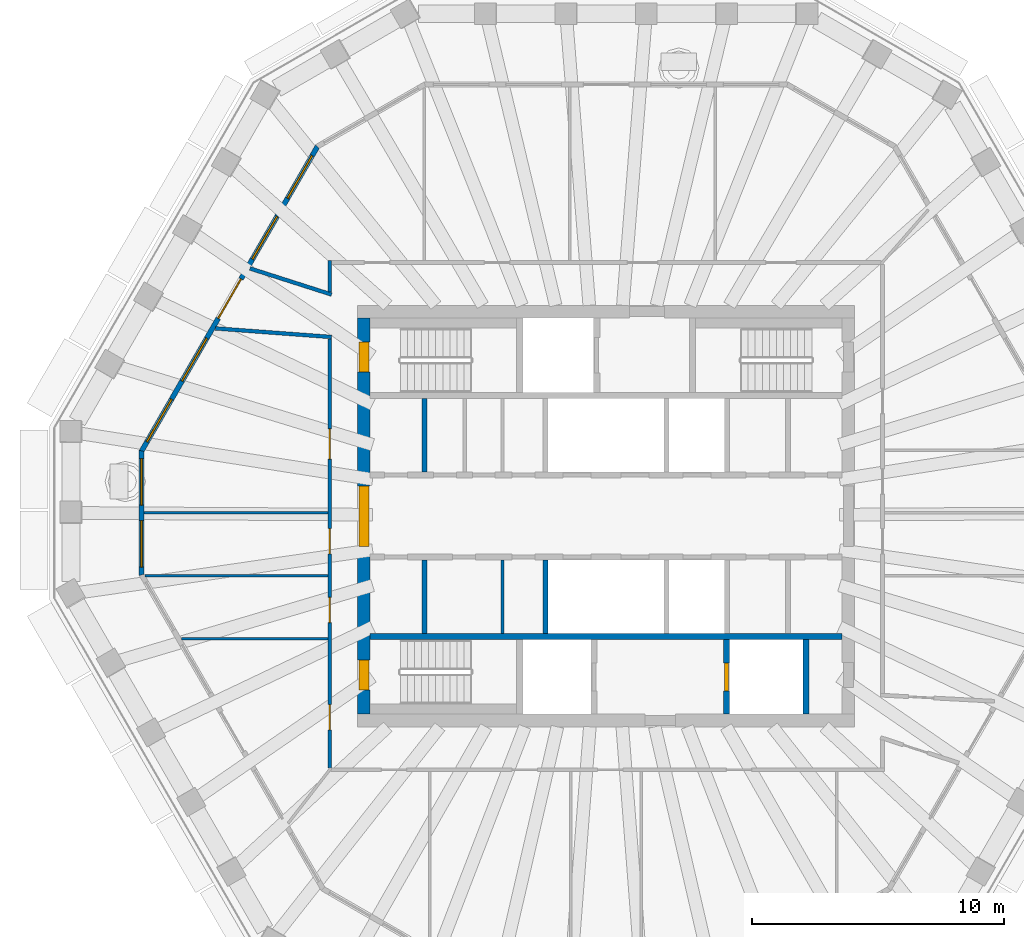
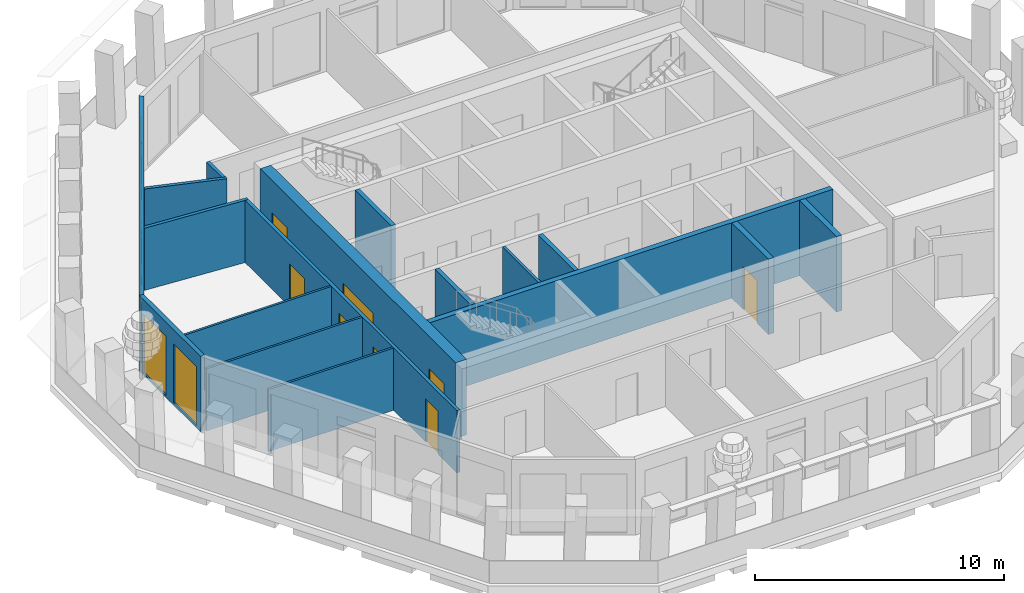
# One storey, part 4 of 11: 17 walls, 9 doors, 7 windows, 16 openings.
"""IFC4 building model written with IfcOpenShell, lengths in metres."""

from ifc_helpers import new_model, si_unit, direction, frame, frame_2d, origin, place, context, subcontext, project, spatial, polyline, rectangle, outline, extrude, material, layer, layer_set, type_object, element, fill, save


model = new_model("IFC4")

# Units and contexts
model_context = context("Model", 3, precision=1e-05, world=origin(), true_north=direction((0.0, 1.0)))
body_context = subcontext(model_context, "Body", "Model", "MODEL_VIEW")
ifc_project = project(units=[si_unit("LENGTHUNIT", "METRE"), si_unit("AREAUNIT", "SQUARE_METRE"), si_unit("VOLUMEUNIT", "CUBIC_METRE"), si_unit("PLANEANGLEUNIT", "RADIAN"), si_unit("MASSUNIT", "GRAM", prefix="KILO")], contexts=[model_context])

# Site, building, storey
site_placement = place(None, origin())
site = spatial("IfcSite", under=ifc_project, at=site_placement, CompositionType="ELEMENT")
building_placement = place(site_placement, origin())
building = spatial("IfcBuilding", under=site, at=building_placement, Name="Frailejon Research Tower", CompositionType="ELEMENT")
storey_placement = place(building_placement, frame((0.0, 0.0, 312.60009765625)))
storey = spatial("IfcBuildingStorey", under=building, at=storey_placement, Name="L69", CompositionType="ELEMENT", Elevation=312.60009765625)

# Wall
ifc_material_1 = material(Name="Plasterboard on steel studs", Category="steel")
ifc_layer_1 = layer(ifc_material_1, 0.125)
ifc_layer_set_1 = layer_set([ifc_layer_1], Name="Core partition 125")
wall_type_1 = type_object("IfcWallType", Name="Core partition 125", PredefinedType="PARTITIONING", material=ifc_layer_set_1)
wall_1_placement = place(storey_placement, frame((-4.10009765625, -4.64990234375, 0.0), z_axis=(0.0, 0.0, 1.0), x_axis=(0.0, 1.0, 0.0)))
element("IfcWall", 1, at=wall_1_placement, inside=storey, type_object=wall_type_1, Name="Core partition", PredefinedType="PARTITIONING", context=body_context, shape_type="SweptSolid", body=[
    extrude(rectangle(XDim=2.89990234375, YDim=0.125, at=frame_2d((1.449951171875, 0.0))), origin(), (0.0, 0.0, 1.0), 3.699951171875),
])

# Wall, openings, doors
ifc_material_2 = material(Name="Concrete C50/60", Category="concrete")
ifc_layer_2 = layer(ifc_material_2, 0.5)
ifc_layer_set_2 = layer_set([ifc_layer_2], Name="Core shear wall 500 C50/60")
wall_type_2 = type_object("IfcWallType", Name="Core shear wall 500 C50/60", PredefinedType="SHEAR", material=ifc_layer_set_2)
wall_2_placement = place(storey_placement, frame((-9.60009765625, -7.85009765625, 0.0), z_axis=(0.0, 0.0, 1.0), x_axis=(0.0, 1.0, 0.0)))
wall_2 = element("IfcWall", 2, at=wall_2_placement, inside=storey, type_object=wall_type_2, Name="Core shear wall", PredefinedType="SHEAR", context=body_context, shape_type="SweptSolid", body=[
    extrude(rectangle(XDim=15.7001953125, YDim=0.5, at=frame_2d((7.85009765625, 0.0))), origin(), (0.0, 0.0, 1.0), 3.699951171875),
])
opening_1_placement = place(wall_2_placement, frame((6.64990234375, 0.0, 0.0)))
opening_1 = element("IfcOpeningElement", 3, at=opening_1_placement, cuts=wall_2, Name="Opening D2", PredefinedType="OPENING", context=body_context, shape_type="SweptSolid", body=[
    extrude(rectangle(XDim=2.39990234375, YDim=2.10009765625, at=frame_2d((1.199951171875, 1.050048828125))), frame((0.0, 0.260009765625, 0.0), z_axis=(0.0, -1.0, 0.0), x_axis=(1.0, 0.0, 0.0)), (0.0, 0.0, 1.0), 0.52001953125),
])
opening_2_placement = place(wall_2_placement, frame((13.550048828125, 0.0, 0.0)))
opening_2 = element("IfcOpeningElement", 4, at=opening_2_placement, cuts=wall_2, Name="Opening D1", PredefinedType="OPENING", context=body_context, shape_type="SweptSolid", body=[
    extrude(rectangle(XDim=1.199951171875, YDim=2.10009765625, at=frame_2d((0.60009765625, 1.050048828125))), frame((0.0, 0.260009765625, 0.0), z_axis=(0.0, -1.0, 0.0), x_axis=(1.0, 0.0, 0.0)), (0.0, 0.0, 1.0), 0.52001953125),
])
opening_3_placement = place(wall_2_placement, frame((0.949951171875, 0.0, 0.0)))
opening_3 = element("IfcOpeningElement", 5, at=opening_3_placement, cuts=wall_2, Name="Opening D1", PredefinedType="OPENING", context=body_context, shape_type="SweptSolid", body=[
    extrude(rectangle(XDim=1.199951171875, YDim=2.10009765625, at=frame_2d((0.60009765625, 1.050048828125))), frame((0.0, 0.260009765625, 0.0), z_axis=(0.0, -1.0, 0.0), x_axis=(1.0, 0.0, 0.0)), (0.0, 0.0, 1.0), 0.52001953125),
])
ifc_material_3 = material(Name="Steel", Category="steel")
door_type_1 = type_object("IfcDoorType", Name="Lobby double door", OperationType="DOUBLE_DOOR_SINGLE_SWING", PredefinedType="DOOR", material=ifc_material_3)
door_1_placement = place(opening_1_placement, origin())
door_1 = element("IfcDoor", 6, at=door_1_placement, inside=storey, type_object=door_type_1, Name="Lobby door", OperationType="DOUBLE_DOOR_SINGLE_SWING", OverallHeight=2.10009765625, OverallWidth=2.39990234375, PredefinedType="DOOR", context=body_context, shape_type="SweptSolid", body=[
    extrude(rectangle(XDim=2.39990234375, YDim=2.10009765625, at=frame_2d((1.199951171875, 1.050048828125))), frame((0.0, 0.199951171875, 0.0), z_axis=(0.0, -1.0, 0.0), x_axis=(1.0, 0.0, 0.0)), (0.0, 0.0, 1.0), 0.39990234375),
])
fill(opening_1, door_1)
ifc_material_4 = material(Name="Steel", Category="steel")
door_type_2 = type_object("IfcDoorType", Name="Stair door", OperationType="SINGLE_SWING_LEFT", PredefinedType="DOOR", material=ifc_material_4)
door_2_placement = place(opening_2_placement, origin())
door_2 = element("IfcDoor", 7, at=door_2_placement, inside=storey, type_object=door_type_2, Name="Stair door ST1", OperationType="SINGLE_SWING_RIGHT", OverallHeight=2.10009765625, OverallWidth=1.199951171875, PredefinedType="DOOR", context=body_context, shape_type="SweptSolid", body=[
    extrude(rectangle(XDim=1.199951171875, YDim=2.10009765625, at=frame_2d((0.60009765625, 1.050048828125))), frame((0.0, 0.199951171875, 0.0), z_axis=(0.0, -1.0, 0.0), x_axis=(1.0, 0.0, 0.0)), (0.0, 0.0, 1.0), 0.39990234375),
])
fill(opening_2, door_2)
door_3_placement = place(opening_3_placement, origin())
door_3 = element("IfcDoor", 8, at=door_3_placement, inside=storey, type_object=door_type_2, Name="Stair door ST2", OperationType="SINGLE_SWING_LEFT", OverallHeight=2.10009765625, OverallWidth=1.199951171875, PredefinedType="DOOR", context=body_context, shape_type="SweptSolid", body=[
    extrude(rectangle(XDim=1.199951171875, YDim=2.10009765625, at=frame_2d((0.60009765625, 1.050048828125))), frame((0.0, 0.199951171875, 0.0), z_axis=(0.0, -1.0, 0.0), x_axis=(1.0, 0.0, 0.0)), (0.0, 0.0, 1.0), 0.39990234375),
])
fill(opening_3, door_3)

ifc_material_5 = material(Name="Gypsum board and masonry partition", Category="masonry")
ifc_layer_3 = layer(ifc_material_5, 0.14990234375)
ifc_layer_set_3 = layer_set([ifc_layer_3], Name="Corridor wall EI 60, gypsum on steel studs 150")
wall_type_3 = type_object("IfcWallType", Name="Corridor wall EI 60, gypsum on steel studs 150", PredefinedType="PARTITIONING", material=ifc_layer_set_3)
wall_3_placement = place(storey_placement, frame((-10.949951171875, -9.97509765625, 0.0), z_axis=(0.0, 0.0, 1.0), x_axis=(0.0, 1.0, 0.0)))
wall_3 = element("IfcWall", 9, at=wall_3_placement, inside=storey, type_object=wall_type_3, Name="T:IW:L69:004", PredefinedType="PARTITIONING", context=body_context, shape_type="SweptSolid", body=[
    extrude(rectangle(XDim=17.0, YDim=0.14990234375, at=frame_2d((8.5, 0.0))), origin(), (0.0, 0.0, 1.0), 3.0498046875),
])
opening_4_placement = place(wall_3_placement, frame((12.226806640625, 0.0, 0.0)))
opening_4 = element("IfcOpeningElement", 10, at=opening_4_placement, cuts=wall_3, Name="Opening D2304", PredefinedType="OPENING", context=body_context, shape_type="SweptSolid", body=[
    extrude(rectangle(XDim=1.199951171875, YDim=2.10009765625, at=frame_2d((0.60009765625, 1.050048828125))), frame((0.0, 0.0849609375, 0.0), z_axis=(0.0, -1.0, 0.0), x_axis=(1.0, 0.0, 0.0)), (0.0, 0.0, 1.0), 0.169921875),
])
opening_5_placement = place(wall_3_placement, frame((8.476806640625, 0.0, 0.0)))
opening_5 = element("IfcOpeningElement", 11, at=opening_5_placement, cuts=wall_3, Name="Opening D2305", PredefinedType="OPENING", context=body_context, shape_type="SweptSolid", body=[
    extrude(rectangle(XDim=1.0, YDim=2.10009765625, at=frame_2d((0.5, 1.050048828125))), frame((0.0, 0.0849609375, 0.0), z_axis=(0.0, -1.0, 0.0), x_axis=(1.0, 0.0, 0.0)), (0.0, 0.0, 1.0), 0.169921875),
])
opening_6_placement = place(wall_3_placement, frame((5.75, 0.0, 0.0)))
opening_6 = element("IfcOpeningElement", 12, at=opening_6_placement, cuts=wall_3, Name="Opening D2306", PredefinedType="OPENING", context=body_context, shape_type="SweptSolid", body=[
    extrude(rectangle(XDim=1.0, YDim=2.10009765625, at=frame_2d((0.5, 1.050048828125))), frame((0.0, 0.0849609375, 0.0), z_axis=(0.0, -1.0, 0.0), x_axis=(1.0, 0.0, 0.0)), (0.0, 0.0, 1.0), 0.169921875),
])
opening_7_placement = place(wall_3_placement, frame((1.49853515625, 0.0, 0.0)))
opening_7 = element("IfcOpeningElement", 13, at=opening_7_placement, cuts=wall_3, Name="Opening D2307", PredefinedType="OPENING", context=body_context, shape_type="SweptSolid", body=[
    extrude(rectangle(XDim=1.0, YDim=2.10009765625, at=frame_2d((0.5, 1.050048828125))), frame((0.0, 0.0849609375, 0.0), z_axis=(0.0, -1.0, 0.0), x_axis=(1.0, 0.0, 0.0)), (0.0, 0.0, 1.0), 0.169921875),
])
ifc_material_6 = material(Name="Timber door leaf", Category="wood")
door_type_3 = type_object("IfcDoorType", Name="Door single leaf, timber, steel frame 1000", OperationType="NOTDEFINED", PredefinedType="DOOR", material=ifc_material_6)
door_4_placement = place(opening_5_placement, origin())
door_4 = element("IfcDoor", 14, at=door_4_placement, inside=storey, type_object=door_type_3, Name="D2305", OperationType="SINGLE_SWING_RIGHT", OverallHeight=2.10009765625, OverallWidth=1.0, PredefinedType="DOOR", context=body_context, shape_type="SweptSolid", body=[
    extrude(rectangle(XDim=1.0, YDim=2.10009765625, at=frame_2d((0.5, 1.050048828125))), frame((0.0, 0.02490234375, 0.0), z_axis=(0.0, -1.0, 0.0), x_axis=(1.0, 0.0, 0.0)), (0.0, 0.0, 1.0), 0.050048828125),
])
fill(opening_5, door_4)
door_5_placement = place(opening_6_placement, origin())
door_5 = element("IfcDoor", 15, at=door_5_placement, inside=storey, type_object=door_type_3, Name="D2306", OperationType="SINGLE_SWING_RIGHT", OverallHeight=2.10009765625, OverallWidth=1.0, PredefinedType="DOOR", context=body_context, shape_type="SweptSolid", body=[
    extrude(rectangle(XDim=1.0, YDim=2.10009765625, at=frame_2d((0.5, 1.050048828125))), frame((0.0, 0.02490234375, 0.0), z_axis=(0.0, -1.0, 0.0), x_axis=(1.0, 0.0, 0.0)), (0.0, 0.0, 1.0), 0.050048828125),
])
fill(opening_6, door_5)
door_6_placement = place(opening_7_placement, origin())
door_6 = element("IfcDoor", 16, at=door_6_placement, inside=storey, type_object=door_type_3, Name="D2307", OperationType="SINGLE_SWING_RIGHT", OverallHeight=2.10009765625, OverallWidth=1.0, PredefinedType="DOOR", context=body_context, shape_type="SweptSolid", body=[
    extrude(rectangle(XDim=1.0, YDim=2.10009765625, at=frame_2d((0.5, 1.050048828125))), frame((0.0, 0.02490234375, 0.0), z_axis=(0.0, -1.0, 0.0), x_axis=(1.0, 0.0, 0.0)), (0.0, 0.0, 1.0), 0.050048828125),
])
fill(opening_7, door_6)
ifc_material_7 = material(Name="Timber door leaf", Category="wood")
door_type_4 = type_object("IfcDoorType", Name="Door single leaf, timber, steel frame 1200", OperationType="NOTDEFINED", PredefinedType="DOOR", material=ifc_material_7)
door_7_placement = place(opening_4_placement, origin())
door_7 = element("IfcDoor", 17, at=door_7_placement, inside=storey, type_object=door_type_4, Name="D2304", OperationType="DOUBLE_DOOR_SINGLE_SWING", OverallHeight=2.10009765625, OverallWidth=1.199951171875, PredefinedType="DOOR", context=body_context, shape_type="SweptSolid", body=[
    extrude(rectangle(XDim=1.199951171875, YDim=2.10009765625, at=frame_2d((0.60009765625, 1.050048828125))), frame((0.0, 0.02490234375, 0.0), z_axis=(0.0, -1.0, 0.0), x_axis=(1.0, 0.0, 0.0)), (0.0, 0.0, 1.0), 0.050048828125),
])
fill(opening_4, door_7)

# Walls
wall_4_placement = place(storey_placement, frame((-10.949951171875, 8.875, 0.0), z_axis=(0.0, 0.0, 1.0), x_axis=(0.0, 1.0, 0.0)))
element("IfcWall", 18, at=wall_4_placement, inside=storey, type_object=wall_type_3, Name="T:IW:L69:005", PredefinedType="PARTITIONING", context=body_context, shape_type="SweptSolid", body=[
    extrude(rectangle(XDim=1.25, YDim=0.14990234375, at=frame_2d((0.625, 0.0))), origin(), (0.0, 0.0, 1.0), 3.0498046875),
])
wall_5_placement = place(storey_placement, frame((-14.110595703125, 9.811279296875, 0.0), z_axis=(0.0, 0.0, 1.0), x_axis=(0.952427488633, -0.304765284926, 0.0)))
element("IfcWall", 19, at=wall_5_placement, inside=storey, type_object=wall_type_3, Name="T:IW:L69:007", PredefinedType="PARTITIONING", context=body_context, shape_type="SweptSolid", body=[
    extrude(rectangle(XDim=3.393310546875, YDim=0.14990234375, at=frame_2d((1.69677734375, 0.0))), origin(), (0.0, 0.0, 1.0), 3.0498046875),
])
wall_6_placement = place(storey_placement, frame((-15.482177734375, 7.435546875, 0.0), z_axis=(0.0, 0.0, 1.0), x_axis=(0.997270781832, -0.073830804569, 0.0)))
element("IfcWall", 20, at=wall_6_placement, inside=storey, type_object=wall_type_3, Name="T:IW:L69:008", PredefinedType="PARTITIONING", context=body_context, shape_type="SweptSolid", body=[
    extrude(rectangle(XDim=4.61962890625, YDim=0.14990234375, at=frame_2d((2.309814453125, 0.0))), origin(), (0.0, 0.0, 1.0), 3.0498046875),
])
ifc_material_8 = material(Name="Gypsum board and masonry partition", Category="masonry")
ifc_layer_4 = layer(ifc_material_8, 0.10009765625)
ifc_layer_set_4 = layer_set([ifc_layer_4], Name="Partition, gypsum on steel studs 100")
wall_type_4 = type_object("IfcWallType", Name="Partition, gypsum on steel studs 100", PredefinedType="PARTITIONING", material=ifc_layer_set_4)
wall_7_placement = place(storey_placement, frame((-18.300048828125, 0.125732421875, 0.0), z_axis=(0.0, 0.0, 1.0), x_axis=(1.0, 0.0, 0.0)))
element("IfcWall", 21, at=wall_7_placement, inside=storey, type_object=wall_type_4, Name="T:IW:L69:012", PredefinedType="PARTITIONING", context=body_context, shape_type="SweptSolid", body=[
    extrude(rectangle(XDim=7.275146484375, YDim=0.10009765625, at=frame_2d((3.6376953125, 0.0))), origin(), (0.0, 0.0, 1.0), 3.0498046875),
])
wall_8_placement = place(storey_placement, frame((-18.269287109375, -2.35693359375, 0.0), z_axis=(0.0, 0.0, 1.0), x_axis=(1.0, 0.0, 0.0)))
element("IfcWall", 22, at=wall_8_placement, inside=storey, type_object=wall_type_4, Name="T:IW:L69:018", PredefinedType="PARTITIONING", context=body_context, shape_type="SweptSolid", body=[
    extrude(rectangle(XDim=7.244384765625, YDim=0.10009765625, at=frame_2d((3.6220703125, 0.0))), origin(), (0.0, 0.0, 1.0), 3.0498046875),
])
wall_9_placement = place(storey_placement, frame((-16.827392578125, -4.85400390625, 0.0), z_axis=(0.0, 0.0, 1.0), x_axis=(1.0, 0.0, 0.0)))
element("IfcWall", 23, at=wall_9_placement, inside=storey, type_object=wall_type_4, Name="T:IW:L69:020", PredefinedType="PARTITIONING", context=body_context, shape_type="SweptSolid", body=[
    extrude(rectangle(XDim=5.802490234375, YDim=0.10009765625, at=frame_2d((2.9013671875, 0.0))), origin(), (0.0, 0.0, 1.0), 3.0498046875),
])
ifc_material_9 = material(Name="Concrete C50/60", Category="concrete")
ifc_layer_5 = layer(ifc_material_9, 0.199951171875)
ifc_layer_set_5 = layer_set([ifc_layer_5], Name="Shaft wall 200 C50/60")
wall_type_5 = type_object("IfcWallType", Name="Shaft wall 200 C50/60", PredefinedType="SOLIDWALL", material=ifc_layer_set_5)
for number, where, z_axis, x_axis, name in (
    (24, (-7.199951171875, 1.75, 0.0), (0.0, 0.0, 1.0), (0.0, 1.0, 0.0), "Shaft wall"),
    (25, (-7.199951171875, -4.64990234375, 0.0), (0.0, 0.0, 1.0), (0.0, 1.0, 0.0), "Shaft wall"),
    (26, (-2.39990234375, -4.64990234375, 0.0), (0.0, 0.0, 1.0), (0.0, 1.0, 0.0), "Shaft wall"),
):
    element("IfcWall", number, at=place(storey_placement, frame(where, z_axis=z_axis, x_axis=x_axis)), inside=storey, type_object=wall_type_5, Name=name, PredefinedType="SOLIDWALL", context=body_context, shape_type="SweptSolid", body=[
        extrude(rectangle(XDim=2.89990234375, YDim=0.199951171875, at=frame_2d((1.449951171875, 0.0))), origin(), (0.0, 0.0, 1.0), 3.699951171875),
    ])
ifc_material_10 = material(Name="Concrete C50/60", Category="concrete")
ifc_layer_6 = layer(ifc_material_10, 0.25)
ifc_layer_set_6 = layer_set([ifc_layer_6], Name="Shaft wall 250 C50/60")
wall_type_6 = type_object("IfcWallType", Name="Shaft wall 250 C50/60", PredefinedType="SOLIDWALL", material=ifc_layer_set_6)
wall_10_placement = place(storey_placement, frame((-9.35009765625, -4.77490234375, 0.0), z_axis=(0.0, 0.0, 1.0), x_axis=(1.0, 0.0, 0.0)))
element("IfcWall", 27, at=wall_10_placement, inside=storey, type_object=wall_type_6, Name="Shaft wall", PredefinedType="SOLIDWALL", context=body_context, shape_type="SweptSolid", body=[
    extrude(rectangle(XDim=18.7001953125, YDim=0.25, at=frame_2d((9.35009765625, 0.0))), origin(), (0.0, 0.0, 1.0), 3.699951171875),
])

# Wall, opening, door
wall_11_placement = place(storey_placement, frame((4.77490234375, -7.85009765625, 0.0), z_axis=(0.0, 0.0, 1.0), x_axis=(0.0, 1.0, 0.0)))
wall_11 = element("IfcWall", 28, at=wall_11_placement, inside=storey, type_object=wall_type_6, Name="Shaft wall", PredefinedType="SOLIDWALL", context=body_context, shape_type="SweptSolid", body=[
    extrude(rectangle(XDim=2.9501953125, YDim=0.25, at=frame_2d((1.47509765625, 0.0))), origin(), (0.0, 0.0, 1.0), 3.699951171875),
])
opening_8_placement = place(wall_11_placement, frame((0.925048828125, 0.0, 0.0)))
opening_8 = element("IfcOpeningElement", 29, at=opening_8_placement, cuts=wall_11, Name="Opening LD", PredefinedType="OPENING", context=body_context, shape_type="SweptSolid", body=[
    extrude(rectangle(XDim=1.10009765625, YDim=2.10009765625, at=frame_2d((0.550048828125, 1.050048828125))), frame((0.0, 0.135009765625, 0.0), z_axis=(0.0, -1.0, 0.0), x_axis=(1.0, 0.0, 0.0)), (0.0, 0.0, 1.0), 0.27001953125),
])
ifc_material_11 = material(Name="Steel", Category="steel")
door_type_5 = type_object("IfcDoorType", Name="Lift landing door", OperationType="DOUBLE_DOOR_SLIDING", PredefinedType="DOOR", material=ifc_material_11)
door_8_placement = place(opening_8_placement, origin())
door_8 = element("IfcDoor", 30, at=door_8_placement, inside=storey, type_object=door_type_5, Name="Lift landing door", OperationType="DOUBLE_DOOR_SLIDING", OverallHeight=2.10009765625, OverallWidth=1.10009765625, PredefinedType="DOOR", context=body_context, shape_type="SweptSolid", body=[
    extrude(rectangle(XDim=1.10009765625, YDim=2.10009765625, at=frame_2d((0.550048828125, 1.050048828125))), frame((0.0, 0.074951171875, 0.0), z_axis=(0.0, -1.0, 0.0), x_axis=(1.0, 0.0, 0.0)), (0.0, 0.0, 1.0), 0.14990234375),
])
fill(opening_8, door_8)

# Wall
wall_12_placement = place(storey_placement, frame((7.925048828125, -7.85009765625, 0.0), z_axis=(0.0, 0.0, 1.0), x_axis=(0.0, 1.0, 0.0)))
element("IfcWall", 31, at=wall_12_placement, inside=storey, type_object=wall_type_6, Name="Shaft wall", PredefinedType="SOLIDWALL", context=body_context, shape_type="SweptSolid", body=[
    extrude(rectangle(XDim=2.9501953125, YDim=0.25, at=frame_2d((1.47509765625, 0.0))), origin(), (0.0, 0.0, 1.0), 3.699951171875),
])

# Wall, openings, door, windows
ifc_material_12 = material(Name="Concrete C40/50 precast window wall panel", Category="concrete")
ifc_layer_7 = layer(ifc_material_12, 0.199951171875)
ifc_layer_set_7 = layer_set([ifc_layer_7], Name="Window wall 200")
wall_type_7 = type_object("IfcWallType", Name="Window wall 200", PredefinedType="SOLIDWALL", material=ifc_layer_set_7)
wall_13_placement = place(storey_placement, frame((-11.435791015625, 14.644287109375, 0.0), z_axis=(0.0, 0.0, 1.0), x_axis=(-0.49999606348, -0.866027676523, 0.0)))
wall_13 = element("IfcWall", 32, at=wall_13_placement, inside=storey, type_object=wall_type_7, Name="Exterior wall L69", PredefinedType="SOLIDWALL", context=body_context, shape_type="SweptSolid", body=[
    extrude(outline(polyline([(-0.02685546875, -0.10009765625), (1.048828125, -0.10009765625), (2.124267578125, -0.10009765625), (3.199951171875, -0.10009765625), (4.275390625, -0.10009765625), (5.35107421875, -0.10009765625), (6.426513671875, -0.10009765625), (7.502197265625, -0.10009765625), (8.57763671875, -0.10009765625), (9.6533203125, -0.10009765625), (10.728759765625, -0.10009765625), (11.804443359375, -0.10009765625), (12.8798828125, -0.10009765625), (13.95556640625, -0.10009765625), (13.90185546875, 0.10009765625), (12.83447265625, 0.10009765625), (11.767333984375, 0.10009765625), (10.699951171875, 0.10009765625), (9.632568359375, 0.10009765625), (8.5654296875, 0.10009765625), (7.498046875, 0.10009765625), (6.4306640625, 0.10009765625), (5.36328125, 0.10009765625), (4.296142578125, 0.10009765625), (3.228759765625, 0.10009765625), (2.161376953125, 0.10009765625), (1.09423828125, 0.10009765625), (0.02685546875, 0.10009765625), (-0.02685546875, -0.10009765625)])), origin(), (0.0, 0.0, 1.0), 3.699951171875),
])
opening_9_placement = place(wall_13_placement, frame((0.41796875, 0.0, 0.10009765625)))
opening_9 = element("IfcOpeningElement", 33, at=opening_9_placement, cuts=wall_13, Name="Opening W27", PredefinedType="OPENING", context=body_context, shape_type="SweptSolid", body=[
    extrude(rectangle(XDim=1.949951171875, YDim=2.89990234375, at=frame_2d((0.97509765625, 1.449951171875))), frame((0.0, 0.10986328125, 0.0), z_axis=(0.0, -1.0, 0.0), x_axis=(1.0, 0.0, 0.0)), (0.0, 0.0, 1.0), 0.219970703125),
])
opening_10_placement = place(wall_13_placement, frame((3.20361328125, 0.0, 0.10009765625)))
opening_10 = element("IfcOpeningElement", 34, at=opening_10_placement, cuts=wall_13, Name="Opening W27", PredefinedType="OPENING", context=body_context, shape_type="SweptSolid", body=[
    extrude(rectangle(XDim=1.949951171875, YDim=2.89990234375, at=frame_2d((0.97509765625, 1.449951171875))), frame((0.0, 0.10986328125, 0.0), z_axis=(0.0, -1.0, 0.0), x_axis=(1.0, 0.0, 0.0)), (0.0, 0.0, 1.0), 0.219970703125),
])
opening_11_placement = place(wall_13_placement, frame((6.064453125, 0.0, 0.0)))
opening_11 = element("IfcOpeningElement", 35, at=opening_11_placement, cuts=wall_13, Name="Opening LG69-3", PredefinedType="OPENING", context=body_context, shape_type="SweptSolid", body=[
    extrude(rectangle(XDim=1.800048828125, YDim=2.39990234375, at=frame_2d((0.89990234375, 1.199951171875))), frame((0.0, 0.10986328125, 0.0), z_axis=(0.0, -1.0, 0.0), x_axis=(1.0, 0.0, 0.0)), (0.0, 0.0, 1.0), 0.219970703125),
])
opening_12_placement = place(wall_13_placement, frame((6.064453125, 0.0, 2.550048828125)))
opening_12 = element("IfcOpeningElement", 36, at=opening_12_placement, cuts=wall_13, Name="Opening W1", PredefinedType="OPENING", context=body_context, shape_type="SweptSolid", body=[
    extrude(rectangle(XDim=1.800048828125, YDim=0.449951171875, at=frame_2d((0.89990234375, 0.22509765625))), frame((0.0, 0.10986328125, 0.0), z_axis=(0.0, -1.0, 0.0), x_axis=(1.0, 0.0, 0.0)), (0.0, 0.0, 1.0), 0.219970703125),
])
opening_13_placement = place(wall_13_placement, frame((8.775146484375, 0.0, 0.10009765625)))
opening_13 = element("IfcOpeningElement", 37, at=opening_13_placement, cuts=wall_13, Name="Opening W27", PredefinedType="OPENING", context=body_context, shape_type="SweptSolid", body=[
    extrude(rectangle(XDim=1.949951171875, YDim=2.89990234375, at=frame_2d((0.97509765625, 1.449951171875))), frame((0.0, 0.10986328125, 0.0), z_axis=(0.0, -1.0, 0.0), x_axis=(1.0, 0.0, 0.0)), (0.0, 0.0, 1.0), 0.219970703125),
])
opening_14_placement = place(wall_13_placement, frame((11.560791015625, 0.0, 0.10009765625)))
opening_14 = element("IfcOpeningElement", 38, at=opening_14_placement, cuts=wall_13, Name="Opening W27", PredefinedType="OPENING", context=body_context, shape_type="SweptSolid", body=[
    extrude(rectangle(XDim=1.949951171875, YDim=2.89990234375, at=frame_2d((0.97509765625, 1.449951171875))), frame((0.0, 0.10986328125, 0.0), z_axis=(0.0, -1.0, 0.0), x_axis=(1.0, 0.0, 0.0)), (0.0, 0.0, 1.0), 0.219970703125),
])
ifc_material_13 = material(Name="Aluminium framed glazed door leaf", Category="aluminium")
door_type_6 = type_object("IfcDoorType", Name="Loggia door 1800x2400", OperationType="DOUBLE_DOOR_SINGLE_SWING", PredefinedType="DOOR", material=ifc_material_13)
door_9_placement = place(opening_11_placement, origin())
door_9 = element("IfcDoor", 39, at=door_9_placement, inside=storey, type_object=door_type_6, Name="Door LG69-3", OperationType="DOUBLE_DOOR_SINGLE_SWING", OverallHeight=2.39990234375, OverallWidth=1.800048828125, PredefinedType="DOOR", context=body_context, shape_type="SweptSolid", body=[
    extrude(rectangle(XDim=1.800048828125, YDim=2.39990234375, at=frame_2d((0.89990234375, 1.199951171875))), frame((0.0, 0.02490234375, 0.0), z_axis=(0.0, -1.0, 0.0), x_axis=(1.0, 0.0, 0.0)), (0.0, 0.0, 1.0), 0.050048828125),
])
fill(opening_11, door_9)
ifc_material_14 = material(Name="Aluminium framed double glazing", Category="aluminium")
window_type_1 = type_object("IfcWindowType", Name="Window 1800x450", PartitioningType="SINGLE_PANEL", PredefinedType="WINDOW", material=ifc_material_14)
window_1_placement = place(opening_12_placement, origin())
window_1 = element("IfcWindow", 40, at=window_1_placement, inside=storey, type_object=window_type_1, Name="Window L69", OverallHeight=0.449951171875, OverallWidth=1.800048828125, PartitioningType="SINGLE_PANEL", PredefinedType="WINDOW", context=body_context, shape_type="SweptSolid", body=[
    extrude(rectangle(XDim=1.800048828125, YDim=0.449951171875, at=frame_2d((0.89990234375, 0.22509765625))), frame((0.0, 0.030029296875, 0.0), z_axis=(0.0, -1.0, 0.0), x_axis=(1.0, 0.0, 0.0)), (0.0, 0.0, 1.0), 0.06005859375),
])
fill(opening_12, window_1)
ifc_material_15 = material(Name="Aluminium framed double glazing", Category="aluminium")
window_type_2 = type_object("IfcWindowType", Name="Window 1950x2900", PartitioningType="SINGLE_PANEL", PredefinedType="WINDOW", material=ifc_material_15)
window_2_placement = place(opening_9_placement, origin())
window_2 = element("IfcWindow", 41, at=window_2_placement, inside=storey, type_object=window_type_2, Name="Window L69", OverallHeight=2.89990234375, OverallWidth=1.949951171875, PartitioningType="SINGLE_PANEL", PredefinedType="WINDOW", context=body_context, shape_type="SweptSolid", body=[
    extrude(rectangle(XDim=1.949951171875, YDim=2.89990234375, at=frame_2d((0.97509765625, 1.449951171875))), frame((0.0, 0.030029296875, 0.0), z_axis=(0.0, -1.0, 0.0), x_axis=(1.0, 0.0, 0.0)), (0.0, 0.0, 1.0), 0.06005859375),
])
fill(opening_9, window_2)
window_3_placement = place(opening_10_placement, origin())
window_3 = element("IfcWindow", 42, at=window_3_placement, inside=storey, type_object=window_type_2, Name="Window L69", OverallHeight=2.89990234375, OverallWidth=1.949951171875, PartitioningType="SINGLE_PANEL", PredefinedType="WINDOW", context=body_context, shape_type="SweptSolid", body=[
    extrude(rectangle(XDim=1.949951171875, YDim=2.89990234375, at=frame_2d((0.97509765625, 1.449951171875))), frame((0.0, 0.030029296875, 0.0), z_axis=(0.0, -1.0, 0.0), x_axis=(1.0, 0.0, 0.0)), (0.0, 0.0, 1.0), 0.06005859375),
])
fill(opening_10, window_3)
window_4_placement = place(opening_13_placement, origin())
window_4 = element("IfcWindow", 43, at=window_4_placement, inside=storey, type_object=window_type_2, Name="Window L69", OverallHeight=2.89990234375, OverallWidth=1.949951171875, PartitioningType="SINGLE_PANEL", PredefinedType="WINDOW", context=body_context, shape_type="SweptSolid", body=[
    extrude(rectangle(XDim=1.949951171875, YDim=2.89990234375, at=frame_2d((0.97509765625, 1.449951171875))), frame((0.0, 0.030029296875, 0.0), z_axis=(0.0, -1.0, 0.0), x_axis=(1.0, 0.0, 0.0)), (0.0, 0.0, 1.0), 0.06005859375),
])
fill(opening_13, window_4)
window_5_placement = place(opening_14_placement, origin())
window_5 = element("IfcWindow", 44, at=window_5_placement, inside=storey, type_object=window_type_2, Name="Window L69", OverallHeight=2.89990234375, OverallWidth=1.949951171875, PartitioningType="SINGLE_PANEL", PredefinedType="WINDOW", context=body_context, shape_type="SweptSolid", body=[
    extrude(rectangle(XDim=1.949951171875, YDim=2.89990234375, at=frame_2d((0.97509765625, 1.449951171875))), frame((0.0, 0.030029296875, 0.0), z_axis=(0.0, -1.0, 0.0), x_axis=(1.0, 0.0, 0.0)), (0.0, 0.0, 1.0), 0.06005859375),
])
fill(opening_14, window_5)

# Wall, openings, windows
wall_14_placement = place(storey_placement, frame((-18.400146484375, 2.58154296875, 0.0), z_axis=(0.0, 0.0, 1.0), x_axis=(0.0, -1.0, 0.0)))
wall_14 = element("IfcWall", 45, at=wall_14_placement, inside=storey, type_object=wall_type_7, Name="Exterior wall L69", PredefinedType="SOLIDWALL", context=body_context, shape_type="SweptSolid", body=[
    extrude(outline(polyline([(-0.02685546875, -0.10009765625), (1.21435546875, -0.10009765625), (2.455810546875, -0.10009765625), (3.697265625, -0.10009765625), (4.9384765625, -0.10009765625), (4.884765625, 0.10009765625), (3.67041015625, 0.10009765625), (2.455810546875, 0.10009765625), (1.2412109375, 0.10009765625), (0.02685546875, 0.10009765625), (-0.02685546875, -0.10009765625)])), origin(), (0.0, 0.0, 1.0), 3.699951171875),
])
opening_15_placement = place(wall_14_placement, frame((0.302978515625, 0.0, 0.10009765625)))
opening_15 = element("IfcOpeningElement", 46, at=opening_15_placement, cuts=wall_14, Name="Opening W26", PredefinedType="OPENING", context=body_context, shape_type="SweptSolid", body=[
    extrude(rectangle(XDim=1.85009765625, YDim=2.89990234375, at=frame_2d((0.925048828125, 1.449951171875))), frame((0.0, 0.10986328125, 0.0), z_axis=(0.0, -1.0, 0.0), x_axis=(1.0, 0.0, 0.0)), (0.0, 0.0, 1.0), 0.219970703125),
])
opening_16_placement = place(wall_14_placement, frame((2.7587890625, 0.0, 0.10009765625)))
opening_16 = element("IfcOpeningElement", 47, at=opening_16_placement, cuts=wall_14, Name="Opening W26", PredefinedType="OPENING", context=body_context, shape_type="SweptSolid", body=[
    extrude(rectangle(XDim=1.85009765625, YDim=2.89990234375, at=frame_2d((0.925048828125, 1.449951171875))), frame((0.0, 0.10986328125, 0.0), z_axis=(0.0, -1.0, 0.0), x_axis=(1.0, 0.0, 0.0)), (0.0, 0.0, 1.0), 0.219970703125),
])
ifc_material_16 = material(Name="Aluminium framed double glazing", Category="aluminium")
window_type_3 = type_object("IfcWindowType", Name="Window 1850x2900", PartitioningType="SINGLE_PANEL", PredefinedType="WINDOW", material=ifc_material_16)
window_6_placement = place(opening_15_placement, origin())
window_6 = element("IfcWindow", 48, at=window_6_placement, inside=storey, type_object=window_type_3, Name="Window L69", OverallHeight=2.89990234375, OverallWidth=1.85009765625, PartitioningType="SINGLE_PANEL", PredefinedType="WINDOW", context=body_context, shape_type="SweptSolid", body=[
    extrude(rectangle(XDim=1.85009765625, YDim=2.89990234375, at=frame_2d((0.925048828125, 1.449951171875))), frame((0.0, 0.030029296875, 0.0), z_axis=(0.0, -1.0, 0.0), x_axis=(1.0, 0.0, 0.0)), (0.0, 0.0, 1.0), 0.06005859375),
])
fill(opening_15, window_6)
window_7_placement = place(opening_16_placement, origin())
window_7 = element("IfcWindow", 49, at=window_7_placement, inside=storey, type_object=window_type_3, Name="Window L69", OverallHeight=2.89990234375, OverallWidth=1.85009765625, PartitioningType="SINGLE_PANEL", PredefinedType="WINDOW", context=body_context, shape_type="SweptSolid", body=[
    extrude(rectangle(XDim=1.85009765625, YDim=2.89990234375, at=frame_2d((0.925048828125, 1.449951171875))), frame((0.0, 0.030029296875, 0.0), z_axis=(0.0, -1.0, 0.0), x_axis=(1.0, 0.0, 0.0)), (0.0, 0.0, 1.0), 0.06005859375),
])
fill(opening_16, window_7)

save(model, "model.ifc")
